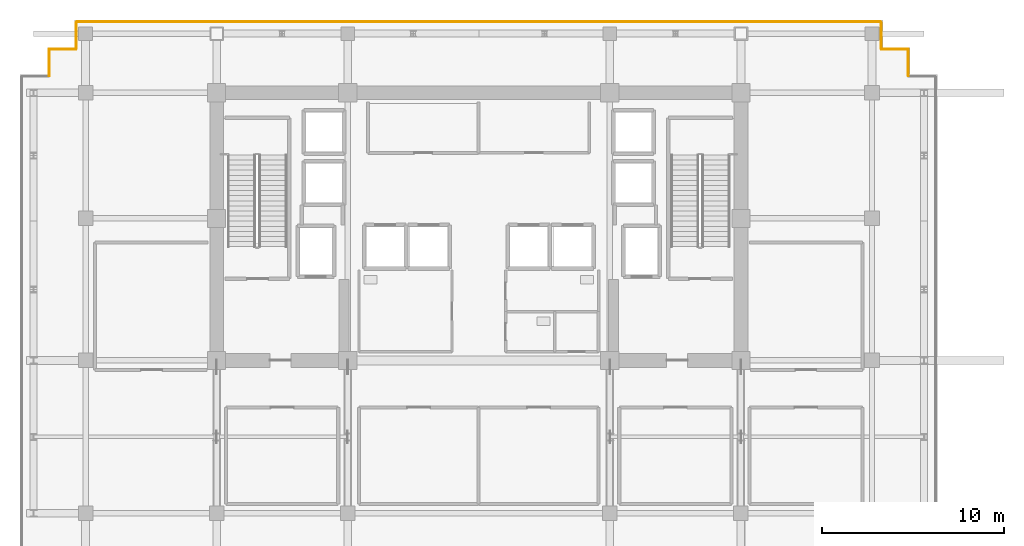
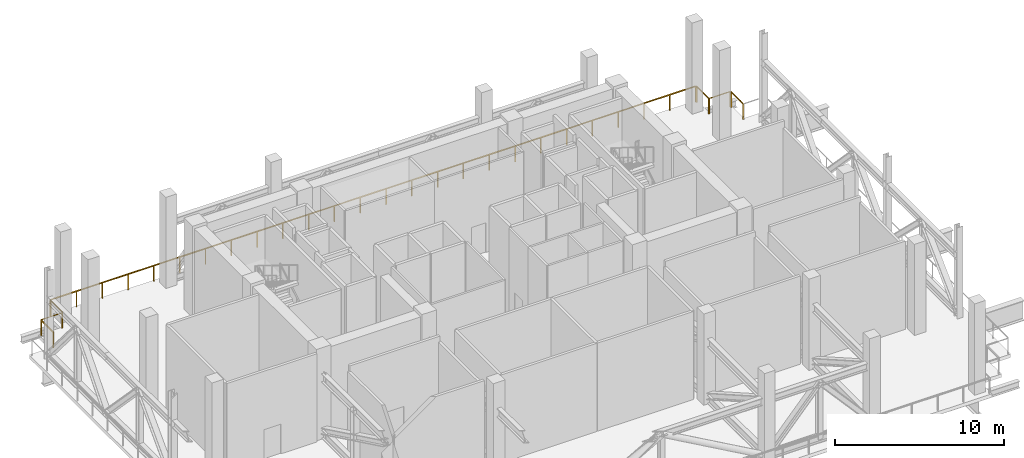
# One storey, part 12 of 13: 7 railings.
"""IFC4 building model written with IfcOpenShell, lengths in metres."""

from ifc_helpers import new_model, si_unit, direction, frame, origin, origin_2d, place, context, subcontext, project, spatial, rectangle, extrude, material, type_object, element, save


model = new_model("IFC4")

# Units and contexts
model_context = context("Model", 3, precision=1e-05, world=origin(), true_north=direction((0.0, 1.0)))
body_context = subcontext(model_context, "Body", "Model", "MODEL_VIEW")
ifc_project = project(units=[si_unit("LENGTHUNIT", "METRE"), si_unit("AREAUNIT", "SQUARE_METRE"), si_unit("VOLUMEUNIT", "CUBIC_METRE"), si_unit("PLANEANGLEUNIT", "RADIAN"), si_unit("MASSUNIT", "GRAM", prefix="KILO")], contexts=[model_context])

# Site, building, storey
site_placement = place(None, origin())
site = spatial("IfcSite", under=ifc_project, at=site_placement, CompositionType="ELEMENT")
building_placement = place(site_placement, origin())
building = spatial("IfcBuilding", under=site, at=building_placement, Name="Zarnakvel Exchange Tower", CompositionType="ELEMENT")
storey_placement = place(building_placement, frame((0.0, 0.0, 139.60009765625)))
storey = spatial("IfcBuildingStorey", under=building, at=storey_placement, Name="L39", CompositionType="ELEMENT", Elevation=139.60009765625)

# Railings
ifc_material = material(Name="Architectural Bronze Anodised Aluminium", Category="aluminium")
railing_type = type_object("IfcRailingType", Name="GR-01", PredefinedType="GUARDRAIL", material=ifc_material)
railing_1_placement = place(storey_placement, frame((-23.60009765625, 14.43994140625, 0.0)))
element("IfcRailing", 1, at=railing_1_placement, inside=storey, type_object=railing_type, Name="L39 Perimeter Guardrail GR-L39-PERIM-03 (GR-01)", PredefinedType="GUARDRAIL", context=body_context, shape_type="SweptSolid", body=[
    extrude(rectangle(XDim=0.048095703125, YDim=0.048095703125, at=origin_2d()), frame((0.0, 0.0, 1.1259765625), z_axis=(0.0, 1.0, 0.0), x_axis=(-1.0, 0.0, 0.0)), (0.0, 0.0, 1.0), 1.420166015625),
    extrude(rectangle(XDim=0.0419921875, YDim=0.0419921875, at=origin_2d()), origin(), (0.0, 0.0, 1.0), 1.101806640625),
    extrude(rectangle(XDim=0.0419921875, YDim=0.0419921875, at=origin_2d()), frame((0.0, 1.420166015625, 0.0)), (0.0, 0.0, 1.0), 1.101806640625),
])
railing_2_placement = place(storey_placement, frame((-23.56005859375, 15.89990234375, 0.0)))
element("IfcRailing", 2, at=railing_2_placement, inside=storey, type_object=railing_type, Name="L39 Perimeter Guardrail GR-L39-PERIM-04 (GR-01)", PredefinedType="GUARDRAIL", context=body_context, shape_type="SweptSolid", body=[
    extrude(rectangle(XDim=0.048095703125, YDim=0.048095703125, at=origin_2d()), frame((0.0, 0.0, 1.1259765625), z_axis=(1.0, 0.0, 0.0), x_axis=(0.0, 1.0, 0.0)), (0.0, 0.0, 1.0), 1.420166015625),
    extrude(rectangle(XDim=0.0419921875, YDim=0.0419921875, at=origin_2d()), origin(), (0.0, 0.0, 1.0), 1.101806640625),
    extrude(rectangle(XDim=0.0419921875, YDim=0.0419921875, at=origin_2d()), frame((1.420166015625, 0.0, 0.0)), (0.0, 0.0, 1.0), 1.101806640625),
])
railing_3_placement = place(storey_placement, frame((-22.10009765625, 15.93994140625, 0.0)))
element("IfcRailing", 3, at=railing_3_placement, inside=storey, type_object=railing_type, Name="L39 Perimeter Guardrail GR-L39-PERIM-05 (GR-01)", PredefinedType="GUARDRAIL", context=body_context, shape_type="SweptSolid", body=[
    extrude(rectangle(XDim=0.048095703125, YDim=0.048095703125, at=origin_2d()), frame((0.0, 0.0, 1.1259765625), z_axis=(0.0, 1.0, 0.0), x_axis=(-1.0, 0.0, 0.0)), (0.0, 0.0, 1.0), 1.420166015625),
    extrude(rectangle(XDim=0.0419921875, YDim=0.0419921875, at=origin_2d()), origin(), (0.0, 0.0, 1.0), 1.101806640625),
    extrude(rectangle(XDim=0.0419921875, YDim=0.0419921875, at=origin_2d()), frame((0.0, 1.420166015625, 0.0)), (0.0, 0.0, 1.0), 1.101806640625),
])
railing_4_placement = place(storey_placement, frame((-22.06005859375, 17.39990234375, 0.0)))
element("IfcRailing", 4, at=railing_4_placement, inside=storey, type_object=railing_type, Name="L39 Perimeter Guardrail GR-L39-PERIM-06 (GR-01)", PredefinedType="GUARDRAIL", context=body_context, shape_type="SweptSolid", body=[
    extrude(rectangle(XDim=0.048095703125, YDim=0.048095703125, at=origin_2d()), frame((0.0, 0.0, 1.1259765625), z_axis=(1.0, 0.0, 0.0), x_axis=(0.0, 1.0, 0.0)), (0.0, 0.0, 1.0), 44.1201171875),
    extrude(rectangle(XDim=0.0419921875, YDim=0.0419921875, at=origin_2d()), origin(), (0.0, 0.0, 1.0), 1.101806640625),
    extrude(rectangle(XDim=0.0419921875, YDim=0.0419921875, at=origin_2d()), frame((1.764892578125, 0.0, 0.0)), (0.0, 0.0, 1.0), 1.101806640625),
    extrude(rectangle(XDim=0.0419921875, YDim=0.0419921875, at=origin_2d()), frame((3.529541015625, 0.0, 0.0)), (0.0, 0.0, 1.0), 1.101806640625),
    extrude(rectangle(XDim=0.0419921875, YDim=0.0419921875, at=origin_2d()), frame((5.29443359375, 0.0, 0.0)), (0.0, 0.0, 1.0), 1.101806640625),
    extrude(rectangle(XDim=0.0419921875, YDim=0.0419921875, at=origin_2d()), frame((7.059326171875, 0.0, 0.0)), (0.0, 0.0, 1.0), 1.101806640625),
    extrude(rectangle(XDim=0.0419921875, YDim=0.0419921875, at=origin_2d()), frame((8.823974609375, 0.0, 0.0)), (0.0, 0.0, 1.0), 1.101806640625),
    extrude(rectangle(XDim=0.0419921875, YDim=0.0419921875, at=origin_2d()), frame((10.5888671875, 0.0, 0.0)), (0.0, 0.0, 1.0), 1.101806640625),
    extrude(rectangle(XDim=0.0419921875, YDim=0.0419921875, at=origin_2d()), frame((12.353515625, 0.0, 0.0)), (0.0, 0.0, 1.0), 1.101806640625),
    extrude(rectangle(XDim=0.0419921875, YDim=0.0419921875, at=origin_2d()), frame((14.118408203125, 0.0, 0.0)), (0.0, 0.0, 1.0), 1.101806640625),
    extrude(rectangle(XDim=0.0419921875, YDim=0.0419921875, at=origin_2d()), frame((15.88330078125, 0.0, 0.0)), (0.0, 0.0, 1.0), 1.101806640625),
    extrude(rectangle(XDim=0.0419921875, YDim=0.0419921875, at=origin_2d()), frame((17.64794921875, 0.0, 0.0)), (0.0, 0.0, 1.0), 1.101806640625),
    extrude(rectangle(XDim=0.0419921875, YDim=0.0419921875, at=origin_2d()), frame((19.412841796875, 0.0, 0.0)), (0.0, 0.0, 1.0), 1.101806640625),
    extrude(rectangle(XDim=0.0419921875, YDim=0.0419921875, at=origin_2d()), frame((21.177734375, 0.0, 0.0)), (0.0, 0.0, 1.0), 1.101806640625),
    extrude(rectangle(XDim=0.0419921875, YDim=0.0419921875, at=origin_2d()), frame((22.9423828125, 0.0, 0.0)), (0.0, 0.0, 1.0), 1.101806640625),
    extrude(rectangle(XDim=0.0419921875, YDim=0.0419921875, at=origin_2d()), frame((24.707275390625, 0.0, 0.0)), (0.0, 0.0, 1.0), 1.101806640625),
    extrude(rectangle(XDim=0.0419921875, YDim=0.0419921875, at=origin_2d()), frame((26.47216796875, 0.0, 0.0)), (0.0, 0.0, 1.0), 1.101806640625),
    extrude(rectangle(XDim=0.0419921875, YDim=0.0419921875, at=origin_2d()), frame((28.23681640625, 0.0, 0.0)), (0.0, 0.0, 1.0), 1.101806640625),
    extrude(rectangle(XDim=0.0419921875, YDim=0.0419921875, at=origin_2d()), frame((30.001708984375, 0.0, 0.0)), (0.0, 0.0, 1.0), 1.101806640625),
    extrude(rectangle(XDim=0.0419921875, YDim=0.0419921875, at=origin_2d()), frame((31.7666015625, 0.0, 0.0)), (0.0, 0.0, 1.0), 1.101806640625),
    extrude(rectangle(XDim=0.0419921875, YDim=0.0419921875, at=origin_2d()), frame((33.53125, 0.0, 0.0)), (0.0, 0.0, 1.0), 1.101806640625),
    extrude(rectangle(XDim=0.0419921875, YDim=0.0419921875, at=origin_2d()), frame((35.296142578125, 0.0, 0.0)), (0.0, 0.0, 1.0), 1.101806640625),
    extrude(rectangle(XDim=0.0419921875, YDim=0.0419921875, at=origin_2d()), frame((37.060791015625, 0.0, 0.0)), (0.0, 0.0, 1.0), 1.101806640625),
    extrude(rectangle(XDim=0.0419921875, YDim=0.0419921875, at=origin_2d()), frame((38.82568359375, 0.0, 0.0)), (0.0, 0.0, 1.0), 1.101806640625),
    extrude(rectangle(XDim=0.0419921875, YDim=0.0419921875, at=origin_2d()), frame((40.590576171875, 0.0, 0.0)), (0.0, 0.0, 1.0), 1.101806640625),
    extrude(rectangle(XDim=0.0419921875, YDim=0.0419921875, at=origin_2d()), frame((42.355224609375, 0.0, 0.0)), (0.0, 0.0, 1.0), 1.101806640625),
    extrude(rectangle(XDim=0.0419921875, YDim=0.0419921875, at=origin_2d()), frame((44.1201171875, 0.0, 0.0)), (0.0, 0.0, 1.0), 1.101806640625),
])
railing_5_placement = place(storey_placement, frame((22.10009765625, 17.360107421875, 0.0)))
element("IfcRailing", 5, at=railing_5_placement, inside=storey, type_object=railing_type, Name="L39 Perimeter Guardrail GR-L39-PERIM-07 (GR-01)", PredefinedType="GUARDRAIL", context=body_context, shape_type="SweptSolid", body=[
    extrude(rectangle(XDim=0.048095703125, YDim=0.048095703125, at=origin_2d()), frame((0.0, 0.0, 1.1259765625), z_axis=(0.0, -1.0, 0.0), x_axis=(1.0, 0.0, 0.0)), (0.0, 0.0, 1.0), 1.420166015625),
    extrude(rectangle(XDim=0.0419921875, YDim=0.0419921875, at=origin_2d()), origin(), (0.0, 0.0, 1.0), 1.101806640625),
    extrude(rectangle(XDim=0.0419921875, YDim=0.0419921875, at=origin_2d()), frame((0.0, -1.420166015625, 0.0)), (0.0, 0.0, 1.0), 1.101806640625),
])
railing_6_placement = place(storey_placement, frame((22.139892578125, 15.89990234375, 0.0)))
element("IfcRailing", 6, at=railing_6_placement, inside=storey, type_object=railing_type, Name="L39 Perimeter Guardrail GR-L39-PERIM-08 (GR-01)", PredefinedType="GUARDRAIL", context=body_context, shape_type="SweptSolid", body=[
    extrude(rectangle(XDim=0.048095703125, YDim=0.048095703125, at=origin_2d()), frame((0.0, 0.0, 1.1259765625), z_axis=(1.0, 0.0, 0.0), x_axis=(0.0, 1.0, 0.0)), (0.0, 0.0, 1.0), 1.420166015625),
    extrude(rectangle(XDim=0.0419921875, YDim=0.0419921875, at=origin_2d()), origin(), (0.0, 0.0, 1.0), 1.101806640625),
    extrude(rectangle(XDim=0.0419921875, YDim=0.0419921875, at=origin_2d()), frame((1.420166015625, 0.0, 0.0)), (0.0, 0.0, 1.0), 1.101806640625),
])
railing_7_placement = place(storey_placement, frame((23.60009765625, 15.860107421875, 0.0)))
element("IfcRailing", 7, at=railing_7_placement, inside=storey, type_object=railing_type, Name="L39 Perimeter Guardrail GR-L39-PERIM-09 (GR-01)", PredefinedType="GUARDRAIL", context=body_context, shape_type="SweptSolid", body=[
    extrude(rectangle(XDim=0.048095703125, YDim=0.048095703125, at=origin_2d()), frame((0.0, 0.0, 1.1259765625), z_axis=(0.0, -1.0, 0.0), x_axis=(1.0, 0.0, 0.0)), (0.0, 0.0, 1.0), 1.420166015625),
    extrude(rectangle(XDim=0.0419921875, YDim=0.0419921875, at=origin_2d()), origin(), (0.0, 0.0, 1.0), 1.101806640625),
    extrude(rectangle(XDim=0.0419921875, YDim=0.0419921875, at=origin_2d()), frame((0.0, -1.420166015625, 0.0)), (0.0, 0.0, 1.0), 1.101806640625),
])

save(model, "model.ifc")
